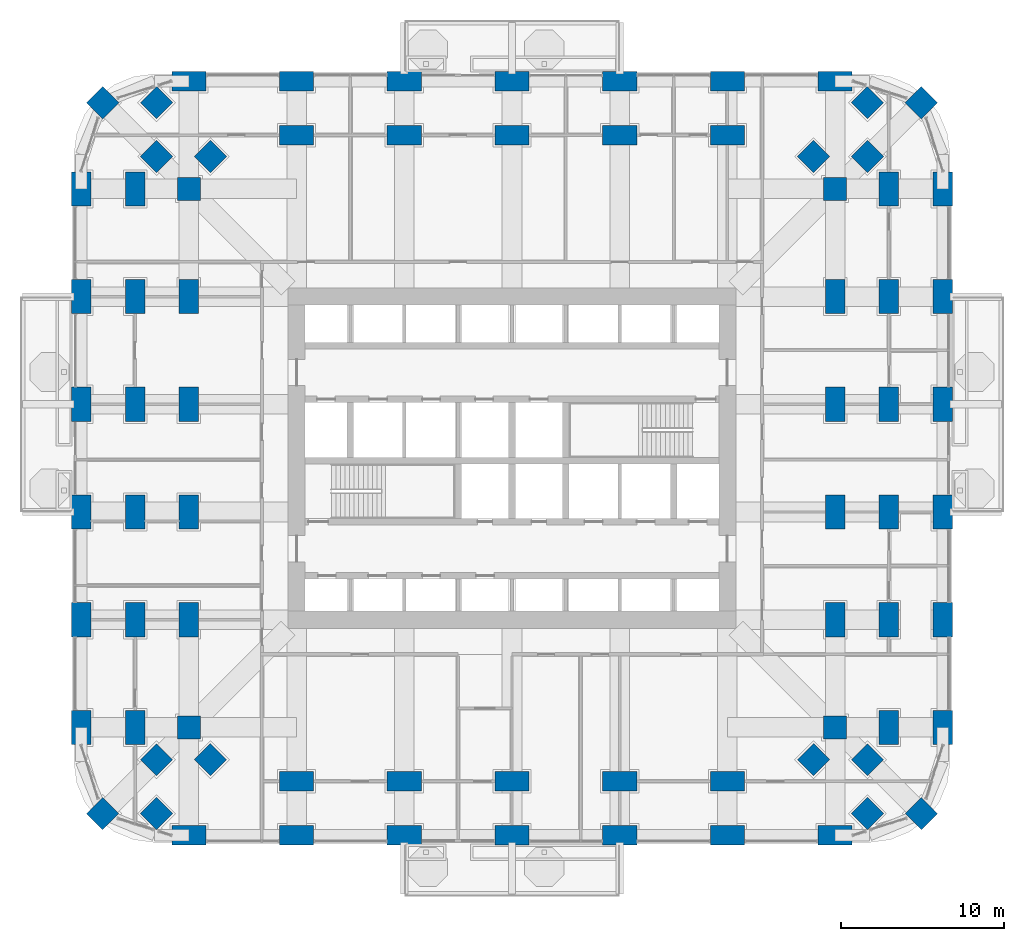
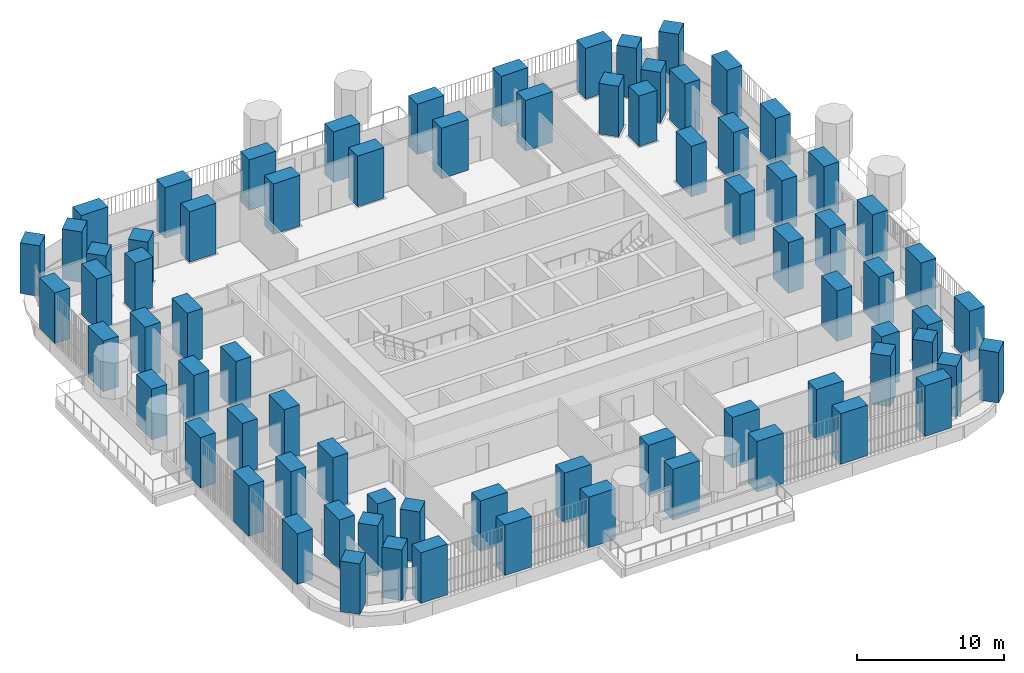
# One storey, part 1 of 26: 76 columns.
"""IFC4 building model written with IfcOpenShell, lengths in metres."""

import ifcopenshell
import ifcopenshell.guid

model = None  # the IFC model being written
_history = None  # IfcOwnerHistory: only IFC2X3 demands one
_inside = {}  # id of a spatial element -> (the spatial element, [elements in it])
_under = {}  # id of a project, library or spatial element -> (it, [spatial elements below it])
_declared = {}  # id of a project -> (the project, [libraries it declares])
_typed = {}  # id of a type object -> (the type object, [elements of that type])
_made_of = {}  # id of a material, layer set ... -> (it, [elements and type objects made of it])


def new_model(schema):
    """Start an empty IFC model of exactly this schema.

    Asked for "IFC4X3", IfcOpenShell would pick the latest addendum, in which some entities
    have other attributes; the version numbers below select the first issue.
    IFC2X3 requires an IfcOwnerHistory on every rooted entity: one is made here for all.
    """
    global model, _history
    if schema == "IFC4X3":
        model = ifcopenshell.file(schema_version=(4, 3, 0, 0))
    else:
        model = ifcopenshell.file(schema=schema)
    _inside.clear()
    _under.clear()
    _declared.clear()
    _typed.clear()
    _made_of.clear()
    _history = None
    if model.schema == "IFC2X3":
        org = make("IfcOrganization", Name="unknown")
        user = make(
            "IfcPersonAndOrganization",
            ThePerson=make("IfcPerson", FamilyName="unknown"),
            TheOrganization=org,
        )
        app = make(
            "IfcApplication",
            ApplicationDeveloper=org,
            Version="unknown",
            ApplicationFullName="unknown",
            ApplicationIdentifier="unknown",
        )
        _history = make(
            "IfcOwnerHistory",
            OwningUser=user,
            OwningApplication=app,
            ChangeAction="ADDED",
            CreationDate=0,
        )
    return model


def make(cls, **values):
    """One entity of the class cls with the attributes given. An attribute that is None is left unset."""
    return model.create_entity(
        cls, **{name: value for name, value in values.items() if value is not None}
    )


def rooted(cls, **values):
    """An entity with a GlobalId (a new one), such as an element, a storey or a relation."""
    return make(cls, GlobalId=ifcopenshell.guid.new(), OwnerHistory=_history, **values)


def si_unit(unit_type, name, prefix=None):
    """IfcSIUnit, for example si_unit("LENGTHUNIT", "METRE", prefix="MILLI")."""
    return make("IfcSIUnit", UnitType=unit_type, Prefix=prefix, Name=name)


def assignment(units):
    """IfcUnitAssignment: the units of a project."""
    return None if units is None else make("IfcUnitAssignment", Units=units)


def point(xyz):
    """IfcCartesianPoint."""
    return None if xyz is None else make("IfcCartesianPoint", Coordinates=xyz)


def direction(xyz):
    """IfcDirection."""
    return None if xyz is None else make("IfcDirection", DirectionRatios=xyz)


def frame(location, z_axis=None, x_axis=None):
    """IfcAxis2Placement3D, a coordinate frame: its origin and axes. An axis left out is left unset."""
    return make(
        "IfcAxis2Placement3D",
        Location=point(location),
        Axis=direction(z_axis),
        RefDirection=direction(x_axis),
    )


def frame_2d(location, x_axis=None):
    """IfcAxis2Placement2D, a coordinate frame in the plane: its origin and x axis."""
    return make(
        "IfcAxis2Placement2D", Location=point(location), RefDirection=direction(x_axis)
    )


def origin():
    """The frame at (0, 0, 0) with its axes left unset."""
    return frame((0.0, 0.0, 0.0))


def origin_2d():
    """The frame at (0, 0) in the plane with its x axis left unset."""
    return frame_2d((0.0, 0.0))


def place(relative_to, where):
    """IfcLocalPlacement: puts the frame where relative to a parent placement (None: the world)."""
    return make(
        "IfcLocalPlacement", PlacementRelTo=relative_to, RelativePlacement=where
    )


def context(
    kind, dimensions, precision=None, world=None, true_north=None, identifier=None
):
    """IfcGeometricRepresentationContext, for example the 3D "Model" context."""
    return make(
        "IfcGeometricRepresentationContext",
        ContextIdentifier=identifier,
        ContextType=kind,
        CoordinateSpaceDimension=dimensions,
        Precision=precision,
        WorldCoordinateSystem=world,
        TrueNorth=true_north,
    )


def subcontext(parent, identifier, kind, view, scale=None):
    """IfcGeometricRepresentationSubContext, for example "Body" below "Model"."""
    return make(
        "IfcGeometricRepresentationSubContext",
        ContextIdentifier=identifier,
        ContextType=kind,
        ParentContext=parent,
        TargetScale=scale,
        TargetView=view,
    )


def project(units=None, contexts=None):
    """IfcProject with its units and contexts."""
    return rooted(
        "IfcProject",
        Name="project",
        RepresentationContexts=contexts,
        UnitsInContext=assignment(units),
    )


def spatial(cls, under=None, at=None, **own):
    """A site, building, storey or space (cls), placed at a placement, below another one or the project."""
    s = rooted(cls, ObjectPlacement=at, **own)
    if under is not None:
        _under.setdefault(under.id(), (under, []))[1].append(s)
    return s


def profile(cls, at=None, kind="AREA", **sizes):
    """A parametric profile (cls). Its sizes go by their IFC names, for example OverallWidth=200.0."""
    return make(cls, ProfileType=kind, Position=at, **sizes)


def rectangle(**sizes):
    """IfcRectangleProfileDef."""
    return profile("IfcRectangleProfileDef", **sizes)


def extrude(swept, where, along, depth):
    """IfcExtrudedAreaSolid: the profile swept, set in the frame where, extruded along a direction by depth."""
    return make(
        "IfcExtrudedAreaSolid",
        SweptArea=swept,
        Position=where,
        ExtrudedDirection=direction(along),
        Depth=depth,
    )


def shape(context_of_items, identifier, shape_type, items):
    """IfcShapeRepresentation: the items that make up one representation, for example the "Body"."""
    return make(
        "IfcShapeRepresentation",
        ContextOfItems=context_of_items,
        RepresentationIdentifier=identifier,
        RepresentationType=shape_type,
        Items=items,
    )


def material(Name=None, Category=None):
    """IfcMaterial."""
    return make("IfcMaterial", Name=Name, Category=Category)


def material_profile(
    of_material, cross_section, Name=None, Category=None, Priority=None
):
    """IfcMaterialProfile: a cross section and its material."""
    return make(
        "IfcMaterialProfile",
        Name=Name,
        Material=of_material,
        Profile=cross_section,
        Priority=Priority,
        Category=Category,
    )


def profile_set(profiles, Name=None, composite=None):
    """IfcMaterialProfileSet."""
    return make(
        "IfcMaterialProfileSet",
        Name=Name,
        MaterialProfiles=profiles,
        CompositeProfile=composite,
    )


def made_of(thing, what):
    """Note that an element or type object is made of a material, layer set ...; save() writes the relation."""
    if what is not None:
        _made_of.setdefault(what.id(), (what, []))[1].append(thing)
    return thing


def type_object(cls, material=None, **own):
    """A type object (cls), such as IfcWallType, which elements share."""
    return made_of(rooted(cls, **own), material)


def element(
    cls,
    number,
    at=None,
    inside=None,
    cuts=None,
    type_object=None,
    material=None,
    context=None,
    identifier="Body",
    shape_type=None,
    held_by="IfcProductDefinitionShape",
    body=None,
    shapes=None,
    **own,
):
    """One element of the class cls, such as IfcWall. Its Tag is "e" and its number.

    at: its placement. inside: the storey or other place that contains it. cuts: it is an
    opening in that element (IfcRelVoidsElement). A single representation is given by context,
    identifier, shape_type and body (its items); several are given by shapes. held_by: the class
    of the entity that holds the representations. save() writes the other relations.
    """
    e = rooted(cls, Tag="e%d" % number, ObjectPlacement=at, **own)
    if body is not None:
        shapes = [shape(context, identifier, shape_type, body)]
    if shapes is not None:
        e.Representation = make(held_by, Representations=shapes)
    if inside is not None:
        _inside.setdefault(inside.id(), (inside, []))[1].append(e)
    if cuts is not None:
        rooted(
            "IfcRelVoidsElement", RelatingBuildingElement=cuts, RelatedOpeningElement=e
        )
    if type_object is not None:
        _typed.setdefault(type_object.id(), (type_object, []))[1].append(e)
    return made_of(e, material)


def aggregate(whole, parts):
    """IfcRelAggregates: a whole, such as a stair, and the parts it consists of."""
    return rooted("IfcRelAggregates", RelatingObject=whole, RelatedObjects=parts)


def save(model, path):
    """Write the relations noted so far, then the file.

    IfcRelAggregates (storeys below a building ...), IfcRelContainedInSpatialStructure (elements
    in a storey), IfcRelDefinesByType, IfcRelAssociatesMaterial and IfcRelDeclares: one each for
    every whole, place, type object, material and project.
    """
    for whole, parts in _under.values():
        aggregate(whole, parts)
    for where, things in _inside.values():
        rooted(
            "IfcRelContainedInSpatialStructure",
            RelatedElements=things,
            RelatingStructure=where,
        )
    for kind, things in _typed.values():
        rooted("IfcRelDefinesByType", RelatedObjects=things, RelatingType=kind)
    for what, things in _made_of.values():
        rooted("IfcRelAssociatesMaterial", RelatedObjects=things, RelatingMaterial=what)
    for by, libraries in _declared.values():
        rooted("IfcRelDeclares", RelatingContext=by, RelatedDefinitions=libraries)
    model.write(path)


model = new_model("IFC4")

# Units and contexts
model_context = context("Model", 3, precision=1e-05, world=origin(), true_north=direction((0.0, 1.0)))
body_context = subcontext(model_context, "Body", "Model", "MODEL_VIEW")
ifc_project = project(units=[si_unit("LENGTHUNIT", "METRE"), si_unit("AREAUNIT", "SQUARE_METRE"), si_unit("VOLUMEUNIT", "CUBIC_METRE"), si_unit("PLANEANGLEUNIT", "RADIAN"), si_unit("MASSUNIT", "GRAM", prefix="KILO")], contexts=[model_context])

# Site, building, storey
site_placement = place(None, origin())
site = spatial("IfcSite", under=ifc_project, at=site_placement, CompositionType="ELEMENT")
building_placement = place(site_placement, origin())
building = spatial("IfcBuilding", under=site, at=building_placement, Name="Cobogo Forest Laboratory Tower", CompositionType="ELEMENT")
storey_placement = place(building_placement, frame((0.0, 0.0, 50.699951171875)))
storey = spatial("IfcBuildingStorey", under=building, at=storey_placement, Name="L11", CompositionType="ELEMENT", Elevation=50.699951171875)

# Columns
ifc_material = material(Name="Concrete HA-50 (C50/60)", Category="concrete")
ifc_material_profile_1 = material_profile(ifc_material, rectangle(XDim=2.10009765625, YDim=1.199951171875, at=origin_2d()), Name="RC 1200x2100")
ifc_profile_set_1 = profile_set([ifc_material_profile_1], Name="Concrete HA-50 (C50/60)")
column_type_1 = type_object("IfcColumnType", Name="Blade column 1200x2100", PredefinedType="COLUMN", material=ifc_profile_set_1)
for number, where, z_axis, x_axis, name in (
    (1, (6.60009765625, 0.0, 0.0), (0.0, 0.0, 1.0), (1.0, 0.0, 0.0), "Column 2-A L11"),
    (2, (13.199951171875, 0.0, 0.0), (0.0, 0.0, 1.0), (1.0, 0.0, 0.0), "Column 3-A L11"),
    (3, (19.800048828125, 0.0, 0.0), (0.0, 0.0, 1.0), (1.0, 0.0, 0.0), "Column 4-A L11"),
    (4, (26.39990234375, 0.0, 0.0), (0.0, 0.0, 1.0), (1.0, 0.0, 0.0), "Column 5-A L11"),
    (5, (33.0, 0.0, 0.0), (0.0, 0.0, 1.0), (1.0, 0.0, 0.0), "Column 6-A L11"),
    (6, (39.60009765625, 0.0, 0.0), (0.0, 0.0, 1.0), (1.0, 0.0, 0.0), "Column 7-A L11"),
    (7, (46.199951171875, 0.0, 0.0), (0.0, 0.0, 1.0), (1.0, 0.0, 0.0), "Column 8-A L11"),
    (8, (0.0, 6.60009765625, 0.0), (0.0, 0.0, 1.0), (0.0, 1.0, 0.0), "Column 1-B L11"),
    (9, (52.800048828125, 6.60009765625, 0.0), (0.0, 0.0, 1.0), (0.0, 1.0, 0.0), "Column 9-B L11"),
    (10, (0.0, 13.199951171875, 0.0), (0.0, 0.0, 1.0), (0.0, 1.0, 0.0), "Column 1-C L11"),
    (11, (52.800048828125, 13.199951171875, 0.0), (0.0, 0.0, 1.0), (0.0, 1.0, 0.0), "Column 9-C L11"),
    (12, (0.0, 19.800048828125, 0.0), (0.0, 0.0, 1.0), (0.0, 1.0, 0.0), "Column 1-D L11"),
    (13, (52.800048828125, 19.800048828125, 0.0), (0.0, 0.0, 1.0), (0.0, 1.0, 0.0), "Column 9-D L11"),
    (14, (0.0, 26.39990234375, 0.0), (0.0, 0.0, 1.0), (0.0, 1.0, 0.0), "Column 1-E L11"),
    (15, (52.800048828125, 26.39990234375, 0.0), (0.0, 0.0, 1.0), (0.0, 1.0, 0.0), "Column 9-E L11"),
    (16, (0.0, 33.0, 0.0), (0.0, 0.0, 1.0), (0.0, 1.0, 0.0), "Column 1-F L11"),
    (17, (52.800048828125, 33.0, 0.0), (0.0, 0.0, 1.0), (0.0, 1.0, 0.0), "Column 9-F L11"),
    (18, (0.0, 39.60009765625, 0.0), (0.0, 0.0, 1.0), (0.0, 1.0, 0.0), "Column 1-G L11"),
    (19, (52.800048828125, 39.60009765625, 0.0), (0.0, 0.0, 1.0), (0.0, 1.0, 0.0), "Column 9-G L11"),
    (20, (6.60009765625, 46.199951171875, 0.0), (0.0, 0.0, 1.0), (1.0, 0.0, 0.0), "Column 2-H L11"),
    (21, (13.199951171875, 46.199951171875, 0.0), (0.0, 0.0, 1.0), (1.0, 0.0, 0.0), "Column 3-H L11"),
    (22, (19.800048828125, 46.199951171875, 0.0), (0.0, 0.0, 1.0), (1.0, 0.0, 0.0), "Column 4-H L11"),
    (23, (26.39990234375, 46.199951171875, 0.0), (0.0, 0.0, 1.0), (1.0, 0.0, 0.0), "Column 5-H L11"),
    (24, (33.0, 46.199951171875, 0.0), (0.0, 0.0, 1.0), (1.0, 0.0, 0.0), "Column 6-H L11"),
    (25, (39.60009765625, 46.199951171875, 0.0), (0.0, 0.0, 1.0), (1.0, 0.0, 0.0), "Column 7-H L11"),
    (26, (46.199951171875, 46.199951171875, 0.0), (0.0, 0.0, 1.0), (1.0, 0.0, 0.0), "Column 8-H L11"),
    (27, (3.300048828125, 6.60009765625, 0.0), (0.0, 0.0, 1.0), (0.0, 1.0, 0.0), "Column 1.1-B-B L11"),
    (28, (49.5, 6.60009765625, 0.0), (0.0, 0.0, 1.0), (0.0, 1.0, 0.0), "Column 8.1-B-B L11"),
    (29, (3.300048828125, 13.199951171875, 0.0), (0.0, 0.0, 1.0), (0.0, 1.0, 0.0), "Column 1.1-C-B L11"),
    (30, (49.5, 13.199951171875, 0.0), (0.0, 0.0, 1.0), (0.0, 1.0, 0.0), "Column 8.1-C-B L11"),
    (31, (3.300048828125, 19.800048828125, 0.0), (0.0, 0.0, 1.0), (0.0, 1.0, 0.0), "Column 1.1-D-B L11"),
    (32, (49.5, 19.800048828125, 0.0), (0.0, 0.0, 1.0), (0.0, 1.0, 0.0), "Column 8.1-D-B L11"),
    (33, (3.300048828125, 26.39990234375, 0.0), (0.0, 0.0, 1.0), (0.0, 1.0, 0.0), "Column 1.1-E-B L11"),
    (34, (49.5, 26.39990234375, 0.0), (0.0, 0.0, 1.0), (0.0, 1.0, 0.0), "Column 8.1-E-B L11"),
    (35, (3.300048828125, 33.0, 0.0), (0.0, 0.0, 1.0), (0.0, 1.0, 0.0), "Column 1.1-F-B L11"),
    (36, (49.5, 33.0, 0.0), (0.0, 0.0, 1.0), (0.0, 1.0, 0.0), "Column 8.1-F-B L11"),
    (37, (3.300048828125, 39.60009765625, 0.0), (0.0, 0.0, 1.0), (0.0, 1.0, 0.0), "Column 1.1-G-B L11"),
    (38, (49.5, 39.60009765625, 0.0), (0.0, 0.0, 1.0), (0.0, 1.0, 0.0), "Column 8.1-G-B L11"),
    (39, (13.199951171875, 3.300048828125, 0.0), (0.0, 0.0, 1.0), (1.0, 0.0, 0.0), "Column 3-A.1-C L11"),
    (40, (19.800048828125, 3.300048828125, 0.0), (0.0, 0.0, 1.0), (1.0, 0.0, 0.0), "Column 4-A.1-C L11"),
    (41, (26.39990234375, 3.300048828125, 0.0), (0.0, 0.0, 1.0), (1.0, 0.0, 0.0), "Column 5-A.1-C L11"),
    (42, (33.0, 3.300048828125, 0.0), (0.0, 0.0, 1.0), (1.0, 0.0, 0.0), "Column 6-A.1-C L11"),
    (43, (39.60009765625, 3.300048828125, 0.0), (0.0, 0.0, 1.0), (1.0, 0.0, 0.0), "Column 7-A.1-C L11"),
    (44, (13.199951171875, 42.89990234375, 0.0), (0.0, 0.0, 1.0), (1.0, 0.0, 0.0), "Column 3-G.1-C L11"),
    (45, (19.800048828125, 42.89990234375, 0.0), (0.0, 0.0, 1.0), (1.0, 0.0, 0.0), "Column 4-G.1-C L11"),
    (46, (26.39990234375, 42.89990234375, 0.0), (0.0, 0.0, 1.0), (1.0, 0.0, 0.0), "Column 5-G.1-C L11"),
    (47, (33.0, 42.89990234375, 0.0), (0.0, 0.0, 1.0), (1.0, 0.0, 0.0), "Column 6-G.1-C L11"),
    (48, (39.60009765625, 42.89990234375, 0.0), (0.0, 0.0, 1.0), (1.0, 0.0, 0.0), "Column 7-G.1-C L11"),
    (49, (6.60009765625, 13.199951171875, 0.0), (0.0, 0.0, 1.0), (0.0, 1.0, 0.0), "Column 2-C-D L11"),
    (50, (46.199951171875, 13.199951171875, 0.0), (0.0, 0.0, 1.0), (0.0, 1.0, 0.0), "Column 8-C-D L11"),
    (51, (6.60009765625, 19.800048828125, 0.0), (0.0, 0.0, 1.0), (0.0, 1.0, 0.0), "Column 2-D-D L11"),
    (52, (46.199951171875, 19.800048828125, 0.0), (0.0, 0.0, 1.0), (0.0, 1.0, 0.0), "Column 8-D-D L11"),
    (53, (6.60009765625, 26.39990234375, 0.0), (0.0, 0.0, 1.0), (0.0, 1.0, 0.0), "Column 2-E-D L11"),
    (54, (46.199951171875, 26.39990234375, 0.0), (0.0, 0.0, 1.0), (0.0, 1.0, 0.0), "Column 8-E-D L11"),
    (55, (6.60009765625, 33.0, 0.0), (0.0, 0.0, 1.0), (0.0, 1.0, 0.0), "Column 2-F-D L11"),
    (56, (46.199951171875, 33.0, 0.0), (0.0, 0.0, 1.0), (0.0, 1.0, 0.0), "Column 8-F-D L11"),
):
    element("IfcColumn", number, at=place(storey_placement, frame(where, z_axis=z_axis, x_axis=x_axis)), inside=storey, type_object=column_type_1, Name=name, PredefinedType="COLUMN", context=body_context, shape_type="SweptSolid", body=[
        extrude(rectangle(XDim=2.10009765625, YDim=1.199951171875, at=origin_2d()), origin(), (0.0, 0.0, 1.0), 4.199951171875),
    ])
ifc_material_profile_2 = material_profile(ifc_material, rectangle(XDim=1.39990234375, YDim=1.39990234375, at=origin_2d()), Name="RC 1400x1400")
ifc_profile_set_2 = profile_set([ifc_material_profile_2], Name="Concrete HA-50 (C50/60)")
column_type_2 = type_object("IfcColumnType", Name="Column 1400x1400", PredefinedType="COLUMN", material=ifc_profile_set_2)
for number, where, z_axis, x_axis, name in (
    (57, (1.318115234375, 1.318115234375, 0.0), (0.0, 0.0, 1.0), (0.707106781187, 0.707106781187, 0.0), "Column CNR-SW L11"),
    (58, (51.48193359375, 1.318115234375, 0.0), (0.0, 0.0, 1.0), (0.707106781187, 0.707106781187, 0.0), "Column CNR-SE L11"),
    (59, (1.318115234375, 44.882080078125, 0.0), (0.0, 0.0, 1.0), (0.707106781187, 0.707106781187, 0.0), "Column CNR-NW L11"),
    (60, (51.48193359375, 44.882080078125, 0.0), (0.0, 0.0, 1.0), (0.707106781187, 0.707106781187, 0.0), "Column CNR-NE L11"),
    (61, (6.60009765625, 6.60009765625, 0.0), (0.0, 0.0, 1.0), (1.0, 0.0, 0.0), "Column 2-B L11"),
    (62, (46.199951171875, 6.60009765625, 0.0), (0.0, 0.0, 1.0), (1.0, 0.0, 0.0), "Column 8-B L11"),
    (63, (6.60009765625, 39.60009765625, 0.0), (0.0, 0.0, 1.0), (1.0, 0.0, 0.0), "Column 2-G L11"),
    (64, (46.199951171875, 39.60009765625, 0.0), (0.0, 0.0, 1.0), (1.0, 0.0, 0.0), "Column 8-G L11"),
    (65, (4.617919921875, 1.318115234375, 0.0), (0.0, 0.0, 1.0), (0.707106781187, 0.707106781187, 0.0), "Column CNR-SW-B L11"),
    (66, (48.181884765625, 1.318115234375, 0.0), (0.0, 0.0, 1.0), (0.707106781187, 0.707106781187, 0.0), "Column CNR-SE-B L11"),
    (67, (4.617919921875, 44.882080078125, 0.0), (0.0, 0.0, 1.0), (0.707106781187, 0.707106781187, 0.0), "Column CNR-NW-B L11"),
    (68, (48.181884765625, 44.882080078125, 0.0), (0.0, 0.0, 1.0), (0.707106781187, 0.707106781187, 0.0), "Column CNR-NE-B L11"),
    (69, (4.617919921875, 4.617919921875, 0.0), (0.0, 0.0, 1.0), (0.707106781187, 0.707106781187, 0.0), "Column CNR-SW-C L11"),
    (70, (48.181884765625, 4.617919921875, 0.0), (0.0, 0.0, 1.0), (0.707106781187, 0.707106781187, 0.0), "Column CNR-SE-C L11"),
    (71, (4.617919921875, 41.58203125, 0.0), (0.0, 0.0, 1.0), (0.707106781187, 0.707106781187, 0.0), "Column CNR-NW-C L11"),
    (72, (48.181884765625, 41.58203125, 0.0), (0.0, 0.0, 1.0), (0.707106781187, 0.707106781187, 0.0), "Column CNR-NE-C L11"),
    (73, (7.91796875, 4.617919921875, 0.0), (0.0, 0.0, 1.0), (0.707106781187, 0.707106781187, 0.0), "Column CNR-SW-D L11"),
    (74, (44.882080078125, 4.617919921875, 0.0), (0.0, 0.0, 1.0), (0.707106781187, 0.707106781187, 0.0), "Column CNR-SE-D L11"),
    (75, (7.91796875, 41.58203125, 0.0), (0.0, 0.0, 1.0), (0.707106781187, 0.707106781187, 0.0), "Column CNR-NW-D L11"),
    (76, (44.882080078125, 41.58203125, 0.0), (0.0, 0.0, 1.0), (0.707106781187, 0.707106781187, 0.0), "Column CNR-NE-D L11"),
):
    element("IfcColumn", number, at=place(storey_placement, frame(where, z_axis=z_axis, x_axis=x_axis)), inside=storey, type_object=column_type_2, Name=name, PredefinedType="COLUMN", context=body_context, shape_type="SweptSolid", body=[
        extrude(rectangle(XDim=1.39990234375, YDim=1.39990234375, at=origin_2d()), origin(), (0.0, 0.0, 1.0), 4.199951171875),
    ])

save(model, "model.ifc")
